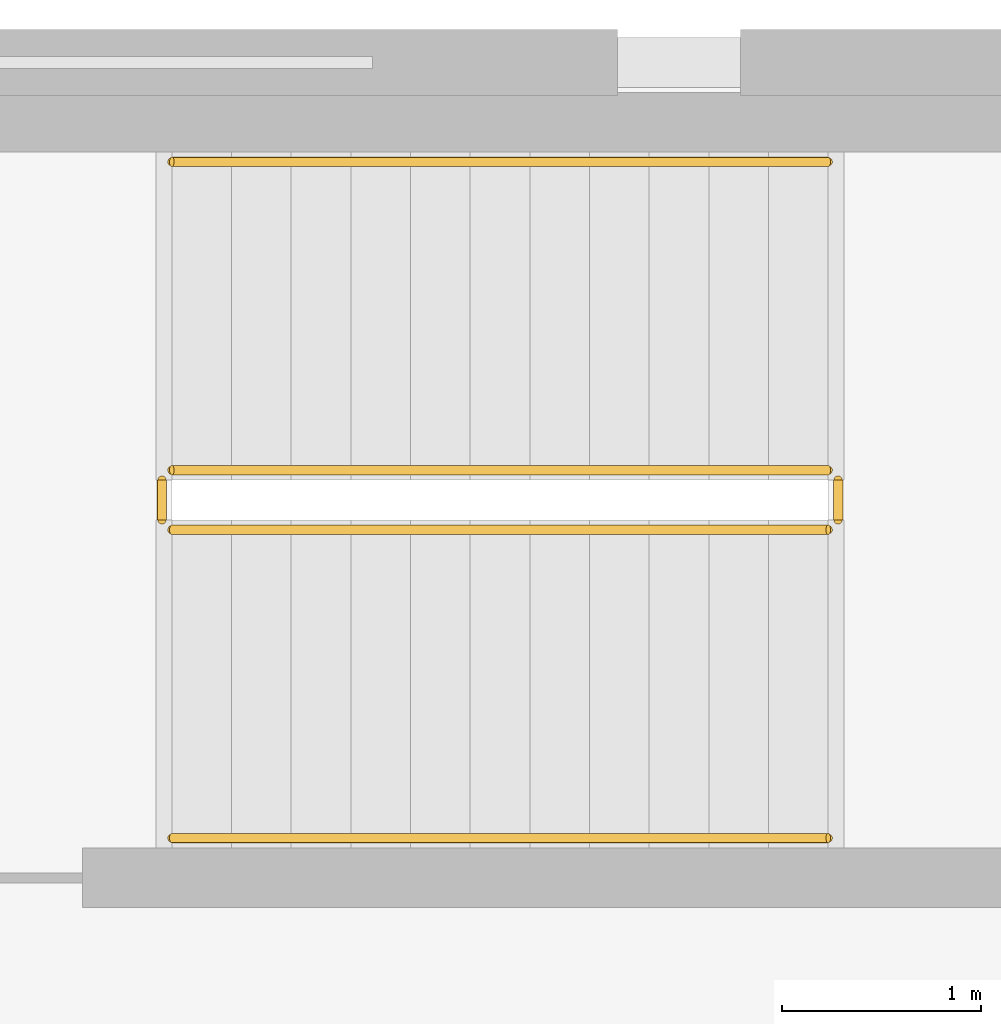
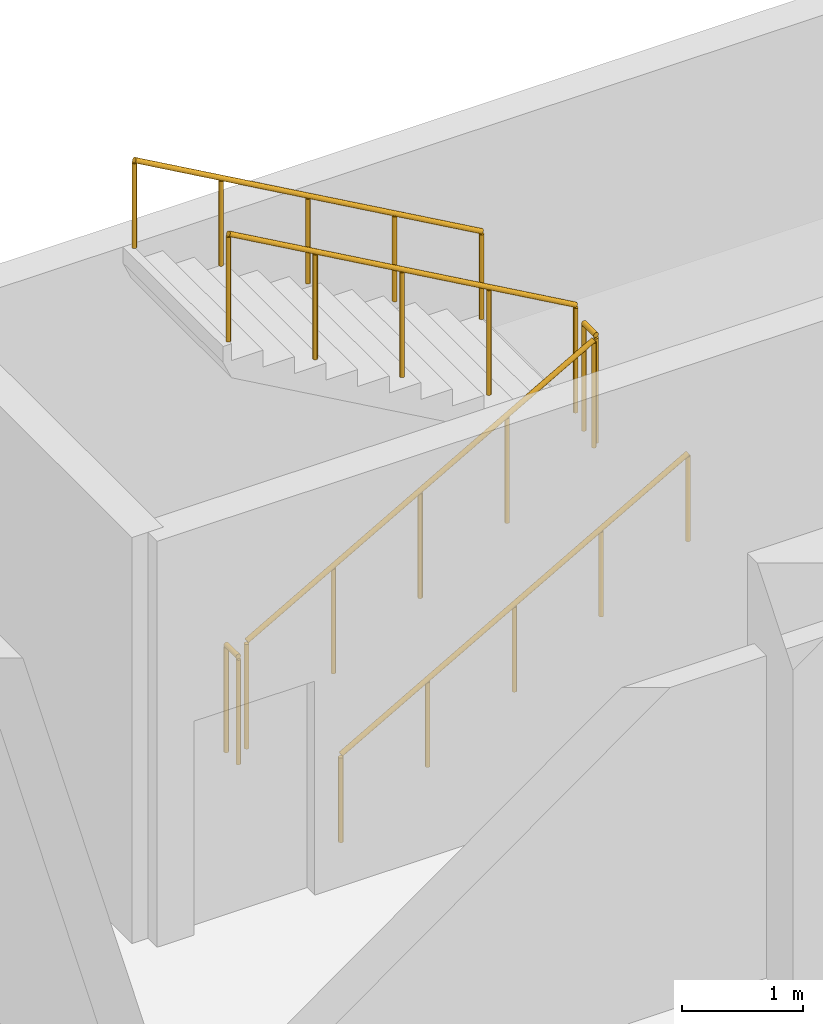
# One storey, part 123 of 127: 6 railings.
"""IFC4 building model written with IfcOpenShell, lengths in metres."""

from ifc_helpers import new_model, si_unit, direction, frame, origin, origin_2d, place, context, subcontext, project, spatial, circle, extrude, material, type_object, element, save


model = new_model("IFC4")

# Units and contexts
model_context = context("Model", 3, precision=1e-05, world=origin(), true_north=direction((0.0, 1.0)))
body_context = subcontext(model_context, "Body", "Model", "MODEL_VIEW")
ifc_project = project(units=[si_unit("LENGTHUNIT", "METRE"), si_unit("AREAUNIT", "SQUARE_METRE"), si_unit("VOLUMEUNIT", "CUBIC_METRE"), si_unit("PLANEANGLEUNIT", "RADIAN"), si_unit("MASSUNIT", "GRAM", prefix="KILO")], contexts=[model_context])

# Site, building, storey
site_placement = place(None, origin())
site = spatial("IfcSite", under=ifc_project, at=site_placement, CompositionType="ELEMENT")
building_placement = place(site_placement, origin())
building = spatial("IfcBuilding", under=site, at=building_placement, Name="Dunvalen Ferry Terminal", CompositionType="ELEMENT")
storey_placement = place(building_placement, frame((0.0, 0.0, 5.760009765625)))
storey = spatial("IfcBuildingStorey", under=building, at=storey_placement, Name="L01", CompositionType="ELEMENT", Elevation=5.760009765625)

# Railings
ifc_material_1 = material(Name="Painted galvanised steel S275", Category="steel")
railing_type_1 = type_object("IfcRailingType", Name="INT-RL-STGRD", PredefinedType="GUARDRAIL", material=ifc_material_1)
railing_1_placement = place(storey_placement, frame((111.449951171875, 40.85009765625, 0.169921875)))
element("IfcRailing", 1, at=railing_1_placement, inside=storey, type_object=railing_type_1, Name="L01 ST4 stair guard 1", PredefinedType="GUARDRAIL", context=body_context, shape_type="SweptSolid", body=[
    extrude(circle(Radius=0.02392578125, at=origin_2d()), frame((0.0, 0.0, 1.076171875), z_axis=(0.870012062771, 0.0, 0.493030435808), x_axis=(0.0, 1.0, 0.0)), (0.0, 0.0, 1.0), 3.793212890625),
    extrude(circle(Radius=0.02099609375, at=origin_2d()), origin(), (0.0, 0.0, 1.0), 1.052001953125),
    extrude(circle(Radius=0.02099609375, at=origin_2d()), frame((0.824951171875, 0.0, 0.467529296875)), (0.0, 0.0, 1.0), 1.052001953125),
    extrude(circle(Radius=0.02099609375, at=origin_2d()), frame((1.64990234375, 0.0, 0.93505859375)), (0.0, 0.0, 1.0), 1.052001953125),
    extrude(circle(Radius=0.02099609375, at=origin_2d()), frame((2.47509765625, 0.0, 1.402587890625)), (0.0, 0.0, 1.0), 1.052001953125),
    extrude(circle(Radius=0.02099609375, at=origin_2d()), frame((3.300048828125, 0.0, 1.8701171875)), (0.0, 0.0, 1.0), 1.052001953125),
])
railing_2_placement = place(storey_placement, frame((114.800048828125, 40.89990234375, 2.0400390625)))
element("IfcRailing", 2, at=railing_2_placement, inside=storey, type_object=railing_type_1, Name="L01 ST4 stair guard 2", PredefinedType="GUARDRAIL", context=body_context, shape_type="SweptSolid", body=[
    extrude(circle(Radius=0.02392578125, at=origin_2d()), frame((0.0, 0.0, 1.076171875), z_axis=(0.0, 1.0, 0.0), x_axis=(-1.0, 0.0, 0.0)), (0.0, 0.0, 1.0), 0.2001953125),
    extrude(circle(Radius=0.02099609375, at=origin_2d()), origin(), (0.0, 0.0, 1.0), 1.052001953125),
    extrude(circle(Radius=0.02099609375, at=origin_2d()), frame((0.0, 0.2001953125, 0.0)), (0.0, 0.0, 1.0), 1.052001953125),
])
railing_3_placement = place(storey_placement, frame((114.75, 41.14990234375, 2.2099609375)))
element("IfcRailing", 3, at=railing_3_placement, inside=storey, type_object=railing_type_1, Name="L01 ST4 stair guard 3", PredefinedType="GUARDRAIL", context=body_context, shape_type="SweptSolid", body=[
    extrude(circle(Radius=0.02392578125, at=origin_2d()), frame((0.0, 0.0, 1.076171875), z_axis=(-0.870012062771, 0.0, 0.493030435808), x_axis=(0.0, -1.0, 0.0)), (0.0, 0.0, 1.0), 3.793212890625),
    extrude(circle(Radius=0.02099609375, at=origin_2d()), origin(), (0.0, 0.0, 1.0), 1.052001953125),
    extrude(circle(Radius=0.02099609375, at=origin_2d()), frame((-0.824951171875, 0.0, 0.467529296875)), (0.0, 0.0, 1.0), 1.052001953125),
    extrude(circle(Radius=0.02099609375, at=origin_2d()), frame((-1.64990234375, 0.0, 0.93505859375)), (0.0, 0.0, 1.0), 1.052001953125),
    extrude(circle(Radius=0.02099609375, at=origin_2d()), frame((-2.47509765625, 0.0, 1.402587890625)), (0.0, 0.0, 1.0), 1.052001953125),
    extrude(circle(Radius=0.02099609375, at=origin_2d()), frame((-3.300048828125, 0.0, 1.8701171875)), (0.0, 0.0, 1.0), 1.052001953125),
])
railing_4_placement = place(storey_placement, frame((111.39990234375, 40.89990234375, 0.0)))
element("IfcRailing", 4, at=railing_4_placement, inside=storey, type_object=railing_type_1, Name="L01 ST4 stair guard 4", PredefinedType="GUARDRAIL", context=body_context, shape_type="SweptSolid", body=[
    extrude(circle(Radius=0.02392578125, at=origin_2d()), frame((0.0, 0.0, 1.076171875), z_axis=(0.0, 1.0, 0.0), x_axis=(-1.0, 0.0, 0.0)), (0.0, 0.0, 1.0), 0.2001953125),
    extrude(circle(Radius=0.02099609375, at=origin_2d()), origin(), (0.0, 0.0, 1.0), 1.052001953125),
    extrude(circle(Radius=0.02099609375, at=origin_2d()), frame((0.0, 0.2001953125, 0.0)), (0.0, 0.0, 1.0), 1.052001953125),
])
ifc_material_2 = material(Name="Brushed 316 stainless steel", Category="steel")
railing_type_2 = type_object("IfcRailingType", Name="INT-RL-STHND", PredefinedType="HANDRAIL", material=ifc_material_2)
railing_5_placement = place(storey_placement, frame((111.449951171875, 39.300048828125, 0.169921875)))
element("IfcRailing", 5, at=railing_5_placement, inside=storey, type_object=railing_type_2, Name="L01 ST4 stair handrail 1", PredefinedType="HANDRAIL", context=body_context, shape_type="SweptSolid", body=[
    extrude(circle(Radius=0.02392578125, at=origin_2d()), frame((0.0, 0.0, 0.8759765625), z_axis=(0.870012062771, 0.0, 0.493030435808), x_axis=(0.0, 1.0, 0.0)), (0.0, 0.0, 1.0), 3.793212890625),
    extrude(circle(Radius=0.02099609375, at=origin_2d()), origin(), (0.0, 0.0, 1.0), 0.851806640625),
    extrude(circle(Radius=0.02099609375, at=origin_2d()), frame((0.824951171875, 0.0, 0.467529296875)), (0.0, 0.0, 1.0), 0.851806640625),
    extrude(circle(Radius=0.02099609375, at=origin_2d()), frame((1.64990234375, 0.0, 0.93505859375)), (0.0, 0.0, 1.0), 0.851806640625),
    extrude(circle(Radius=0.02099609375, at=origin_2d()), frame((2.47509765625, 0.0, 1.402587890625)), (0.0, 0.0, 1.0), 0.851806640625),
    extrude(circle(Radius=0.02099609375, at=origin_2d()), frame((3.300048828125, 0.0, 1.8701171875)), (0.0, 0.0, 1.0), 0.851806640625),
])
railing_6_placement = place(storey_placement, frame((114.75, 42.699951171875, 2.2099609375)))
element("IfcRailing", 6, at=railing_6_placement, inside=storey, type_object=railing_type_2, Name="L01 ST4 stair handrail 2", PredefinedType="HANDRAIL", context=body_context, shape_type="SweptSolid", body=[
    extrude(circle(Radius=0.02392578125, at=origin_2d()), frame((0.0, 0.0, 0.8759765625), z_axis=(-0.870012062771, 0.0, 0.493030435808), x_axis=(0.0, -1.0, 0.0)), (0.0, 0.0, 1.0), 3.793212890625),
    extrude(circle(Radius=0.02099609375, at=origin_2d()), origin(), (0.0, 0.0, 1.0), 0.851806640625),
    extrude(circle(Radius=0.02099609375, at=origin_2d()), frame((-0.824951171875, 0.0, 0.467529296875)), (0.0, 0.0, 1.0), 0.851806640625),
    extrude(circle(Radius=0.02099609375, at=origin_2d()), frame((-1.64990234375, 0.0, 0.93505859375)), (0.0, 0.0, 1.0), 0.851806640625),
    extrude(circle(Radius=0.02099609375, at=origin_2d()), frame((-2.47509765625, 0.0, 1.402587890625)), (0.0, 0.0, 1.0), 0.851806640625),
    extrude(circle(Radius=0.02099609375, at=origin_2d()), frame((-3.300048828125, 0.0, 1.8701171875)), (0.0, 0.0, 1.0), 0.851806640625),
])

save(model, "model.ifc")
